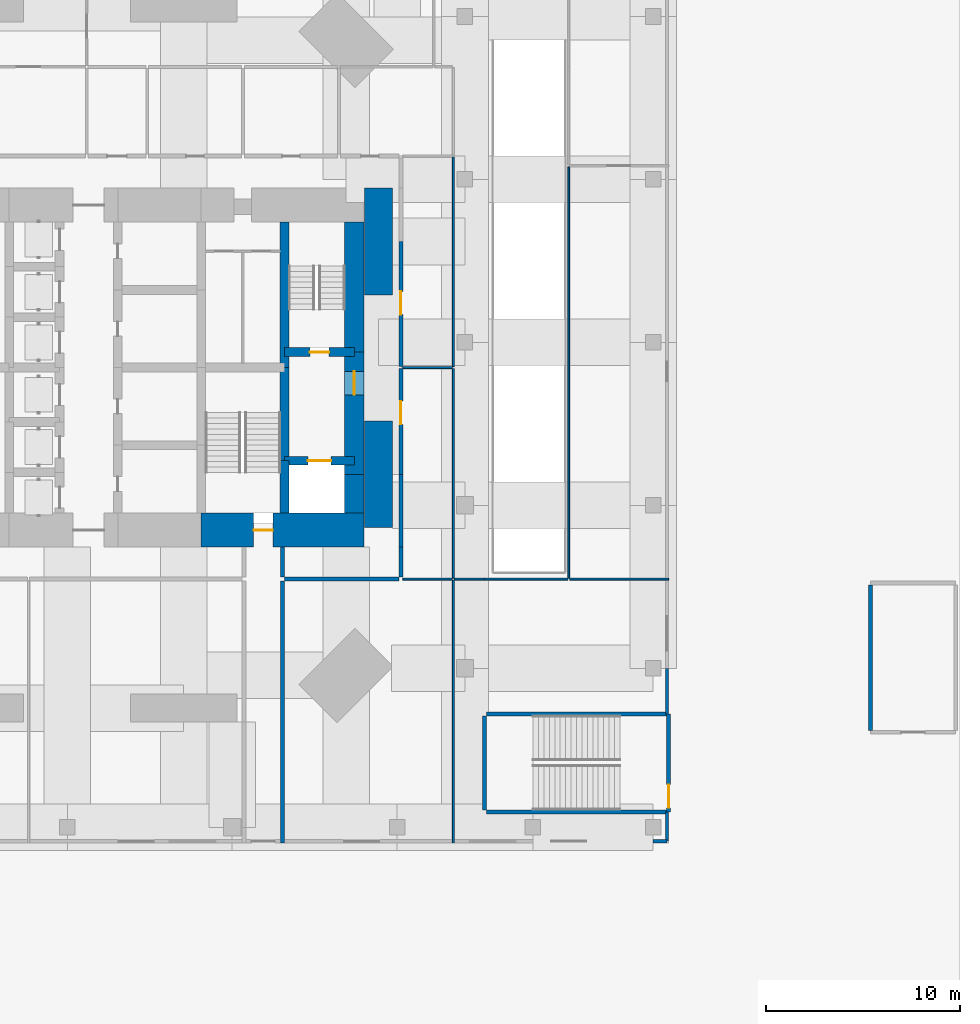
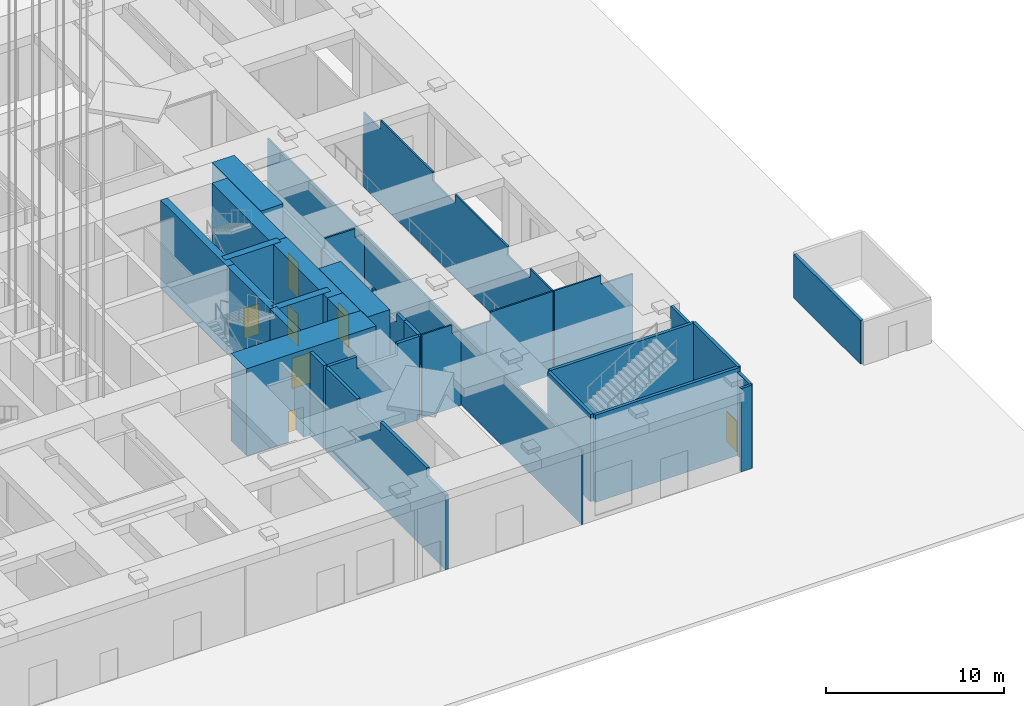
# One storey, part 9 of 17: 35 walls, 7 doors, 7 openings.
"""IFC4 building model written with IfcOpenShell, lengths in metres."""

from ifc_helpers import new_model, si_unit, direction, frame, frame_2d, origin, place, context, subcontext, project, spatial, polyline, rectangle, outline, extrude, material, layer, layer_set, constituent, constituent_set, type_object, element, fill, save


model = new_model("IFC4")

# Units and contexts
model_context = context("Model", 3, precision=1e-05, world=origin(), true_north=direction((0.0, 1.0)))
body_context = subcontext(model_context, "Body", "Model", "MODEL_VIEW")
ifc_project = project(units=[si_unit("LENGTHUNIT", "METRE"), si_unit("AREAUNIT", "SQUARE_METRE"), si_unit("VOLUMEUNIT", "CUBIC_METRE"), si_unit("PLANEANGLEUNIT", "RADIAN"), si_unit("MASSUNIT", "GRAM", prefix="KILO")], contexts=[model_context])

# Site, building, storey
site_placement = place(None, origin())
site = spatial("IfcSite", under=ifc_project, at=site_placement, CompositionType="ELEMENT")
building_placement = place(site_placement, origin())
building = spatial("IfcBuilding", under=site, at=building_placement, Name="Jalousie Tower", CompositionType="ELEMENT")
storey_placement = place(building_placement, origin())
storey = spatial("IfcBuildingStorey", under=building, at=storey_placement, Name="L00", CompositionType="ELEMENT", Elevation=0.0)

# Wall
ifc_material_1 = material(Name="Concrete f'c 120 MPa", Category="concrete")
ifc_layer_1 = layer(ifc_material_1, 1.0)
ifc_layer_set_1 = layer_set([ifc_layer_1], Name="Concrete f'c 120 MPa")
wall_type_1 = type_object("IfcWallType", Name="CORE WALL 1000", PredefinedType="SHEAR", material=ifc_layer_set_1)
wall_1_placement = place(storey_placement, frame((43.800048828125, 11.0, 0.0), z_axis=(0.0, 0.0, 1.0), x_axis=(0.0, 1.0, 0.0)))
element("IfcWall", 1, at=wall_1_placement, inside=storey, type_object=wall_type_1, Name="Core wall EA L00", PredefinedType="SHEAR", context=body_context, shape_type="SweptSolid", body=[
    extrude(rectangle(XDim=2.0, YDim=1.0, at=frame_2d((1.0, 0.0))), origin(), (0.0, 0.0, 1.0), 6.0),
])

# Wall, opening, door
wall_2_placement = place(storey_placement, frame((43.800048828125, 13.0, 0.0), z_axis=(0.0, 0.0, 1.0), x_axis=(0.0, 1.0, 0.0)))
wall_2 = element("IfcWall", 2, at=wall_2_placement, inside=storey, type_object=wall_type_1, Name="Core wall EB L00", PredefinedType="SHEAR", context=body_context, shape_type="SweptSolid", body=[
    extrude(rectangle(XDim=6.300048828125, YDim=1.0, at=frame_2d((3.14990234375, 0.0))), origin(), (0.0, 0.0, 1.0), 6.0),
])
opening_1_placement = place(wall_2_placement, frame((4.10009765625, 0.0, 0.0)))
opening_1 = element("IfcOpeningElement", 3, at=opening_1_placement, cuts=wall_2, Name="Opening D11", PredefinedType="OPENING", context=body_context, shape_type="SweptSolid", body=[
    extrude(rectangle(XDim=1.199951171875, YDim=2.199951171875, at=frame_2d((0.60009765625, 1.10009765625))), frame((0.0, 0.510009765625, 0.0), z_axis=(0.0, -1.0, 0.0), x_axis=(1.0, 0.0, 0.0)), (0.0, 0.0, 1.0), 1.02001953125),
])
ifc_material_2 = material(Name="Steel fire door", Category="steel")
door_type_1 = type_object("IfcDoorType", Name="FIRE DOOR 1200", OperationType="SINGLE_SWING_LEFT", PredefinedType="DOOR", material=ifc_material_2)
door_1_placement = place(opening_1_placement, origin())
door_1 = element("IfcDoor", 4, at=door_1_placement, inside=storey, type_object=door_type_1, Name="Fire-fighting lobby B door", OperationType="SINGLE_SWING_RIGHT", OverallHeight=2.199951171875, OverallWidth=1.199951171875, PredefinedType="DOOR", context=body_context, shape_type="SweptSolid", body=[
    extrude(rectangle(XDim=1.199951171875, YDim=2.199951171875, at=frame_2d((0.60009765625, 1.10009765625))), frame((0.0, 0.02490234375, 0.0), z_axis=(0.0, -1.0, 0.0), x_axis=(1.0, 0.0, 0.0)), (0.0, 0.0, 1.0), 0.050048828125),
])
fill(opening_1, door_1)

# Wall
wall_3_placement = place(storey_placement, frame((43.800048828125, 19.300048828125, 0.0), z_axis=(0.0, 0.0, 1.0), x_axis=(0.0, 1.0, 0.0)))
element("IfcWall", 5, at=wall_3_placement, inside=storey, type_object=wall_type_1, Name="Core wall EC L00", PredefinedType="SHEAR", context=body_context, shape_type="SweptSolid", body=[
    extrude(rectangle(XDim=6.699951171875, YDim=1.0, at=frame_2d((3.35009765625, 0.0))), origin(), (0.0, 0.0, 1.0), 6.0),
])

# Wall, opening, door
ifc_material_3 = material(Name="Concrete f'c 120 MPa", Category="concrete")
ifc_layer_2 = layer(ifc_material_3, 1.75)
ifc_layer_set_2 = layer_set([ifc_layer_2], Name="Concrete f'c 120 MPa")
wall_type_2 = type_object("IfcWallType", Name="CORE WALL 1750", PredefinedType="SHEAR", material=ifc_layer_set_2)
wall_4_placement = place(storey_placement, frame((35.89990234375, 10.125, 0.0), z_axis=(0.0, 0.0, 1.0), x_axis=(1.0, 0.0, 0.0)))
wall_4 = element("IfcWall", 6, at=wall_4_placement, inside=storey, type_object=wall_type_2, Name="Core wall SD L00", PredefinedType="SHEAR", context=body_context, shape_type="SweptSolid", body=[
    extrude(rectangle(XDim=8.400146484375, YDim=1.75, at=frame_2d((4.2001953125, 0.0))), origin(), (0.0, 0.0, 1.0), 6.0),
])
opening_2_placement = place(wall_4_placement, frame((2.699951171875, 0.0, 0.0)))
opening_2 = element("IfcOpeningElement", 7, at=opening_2_placement, cuts=wall_4, Name="Opening D10", PredefinedType="OPENING", context=body_context, shape_type="SweptSolid", body=[
    extrude(rectangle(XDim=1.0, YDim=2.10009765625, at=frame_2d((0.5, 1.050048828125))), frame((0.0, 0.885009765625, 0.0), z_axis=(0.0, -1.0, 0.0), x_axis=(1.0, 0.0, 0.0)), (0.0, 0.0, 1.0), 1.77001953125),
])
ifc_material_4 = material(Name="Steel fire door", Category="steel")
door_type_2 = type_object("IfcDoorType", Name="STAIR DOOR 1000", OperationType="SINGLE_SWING_LEFT", PredefinedType="DOOR", material=ifc_material_4)
door_2_placement = place(opening_2_placement, frame((1.0, 0.0, 0.0), z_axis=(0.0, 0.0, 1.0), x_axis=(-1.0, 0.0, 0.0)))
door_2 = element("IfcDoor", 8, at=door_2_placement, inside=storey, type_object=door_type_2, Name="Exit stair C door", OperationType="SINGLE_SWING_RIGHT", OverallHeight=2.10009765625, OverallWidth=1.0, PredefinedType="DOOR", context=body_context, shape_type="SweptSolid", body=[
    extrude(rectangle(XDim=1.0, YDim=2.10009765625, at=frame_2d((0.5, 1.050048828125))), frame((0.0, 0.02490234375, 0.0), z_axis=(0.0, -1.0, 0.0), x_axis=(1.0, 0.0, 0.0)), (0.0, 0.0, 1.0), 0.050048828125),
])
fill(opening_2, door_2)

# Walls
ifc_material_5 = material(Name="Concrete f'c 120 MPa", Category="concrete")
ifc_layer_3 = layer(ifc_material_5, 0.449951171875)
ifc_layer_set_3 = layer_set([ifc_layer_3], Name="Concrete f'c 120 MPa")
wall_type_3 = type_object("IfcWallType", Name="CORE WALL 450", PredefinedType="SHEAR", material=ifc_layer_set_3)
wall_5_placement = place(storey_placement, frame((40.199951171875, 11.0, 0.0), z_axis=(0.0, 0.0, 1.0), x_axis=(0.0, 1.0, 0.0)))
element("IfcWall", 9, at=wall_5_placement, inside=storey, type_object=wall_type_3, Name="Core wall X40.2A L00", PredefinedType="SHEAR", context=body_context, shape_type="SweptSolid", body=[
    extrude(rectangle(XDim=2.699951171875, YDim=0.449951171875, at=frame_2d((1.35009765625, 0.0))), origin(), (0.0, 0.0, 1.0), 6.0),
])
wall_6_placement = place(storey_placement, frame((40.199951171875, 13.699951171875, 0.0), z_axis=(0.0, 0.0, 1.0), x_axis=(0.0, 1.0, 0.0)))
element("IfcWall", 10, at=wall_6_placement, inside=storey, type_object=wall_type_3, Name="Core wall X40.2B L00", PredefinedType="SHEAR", context=body_context, shape_type="SweptSolid", body=[
    extrude(rectangle(XDim=4.800048828125, YDim=0.449951171875, at=frame_2d((2.39990234375, 0.0))), origin(), (0.0, 0.0, 1.0), 6.0),
])
wall_7_placement = place(storey_placement, frame((40.199951171875, 18.5, 0.0), z_axis=(0.0, 0.0, 1.0), x_axis=(0.0, 1.0, 0.0)))
element("IfcWall", 11, at=wall_7_placement, inside=storey, type_object=wall_type_3, Name="Core wall X40.2C L00", PredefinedType="SHEAR", context=body_context, shape_type="SweptSolid", body=[
    extrude(rectangle(XDim=7.5, YDim=0.449951171875, at=frame_2d((3.75, 0.0))), origin(), (0.0, 0.0, 1.0), 6.0),
])

# Wall, opening, door
wall_8_placement = place(storey_placement, frame((40.199951171875, 13.699951171875, 0.0), z_axis=(0.0, 0.0, 1.0), x_axis=(1.0, 0.0, 0.0)))
wall_8 = element("IfcWall", 12, at=wall_8_placement, inside=storey, type_object=wall_type_3, Name="Core wall Y40.2-13.7 L00", PredefinedType="SHEAR", context=body_context, shape_type="SweptSolid", body=[
    extrude(rectangle(XDim=3.60009765625, YDim=0.449951171875, at=frame_2d((1.800048828125, 0.0))), origin(), (0.0, 0.0, 1.0), 6.0),
])
opening_3_placement = place(wall_8_placement, frame((1.199951171875, 0.0, 0.0)))
opening_3 = element("IfcOpeningElement", 13, at=opening_3_placement, cuts=wall_8, Name="Opening LD2", PredefinedType="OPENING", context=body_context, shape_type="SweptSolid", body=[
    extrude(rectangle(XDim=1.199951171875, YDim=2.10009765625, at=frame_2d((0.60009765625, 1.050048828125))), frame((0.0, 0.23486328125, 0.0), z_axis=(0.0, -1.0, 0.0), x_axis=(1.0, 0.0, 0.0)), (0.0, 0.0, 1.0), 0.469970703125),
])
ifc_material_6 = material(Name="Steel lift landing door", Category="steel")
door_type_3 = type_object("IfcDoorType", Name="LIFT LANDING DOOR 1200", OperationType="SLIDING_TO_LEFT", PredefinedType="DOOR", material=ifc_material_6)
door_3_placement = place(opening_3_placement, origin())
door_3 = element("IfcDoor", 14, at=door_3_placement, inside=storey, type_object=door_type_3, Name="Lift F2 landing door", OperationType="SLIDING_TO_LEFT", OverallHeight=2.10009765625, OverallWidth=1.199951171875, PredefinedType="DOOR", context=body_context, shape_type="SweptSolid", body=[
    extrude(rectangle(XDim=1.199951171875, YDim=2.10009765625, at=frame_2d((0.60009765625, 1.050048828125))), frame((0.0, 0.02490234375, 0.0), z_axis=(0.0, -1.0, 0.0), x_axis=(1.0, 0.0, 0.0)), (0.0, 0.0, 1.0), 0.050048828125),
])
fill(opening_3, door_3)

wall_9_placement = place(storey_placement, frame((40.199951171875, 19.300048828125, 0.0), z_axis=(0.0, 0.0, 1.0), x_axis=(1.0, 0.0, 0.0)))
wall_9 = element("IfcWall", 15, at=wall_9_placement, inside=storey, type_object=wall_type_3, Name="Core wall Y40.2-19.3 L00", PredefinedType="SHEAR", context=body_context, shape_type="SweptSolid", body=[
    extrude(rectangle(XDim=3.60009765625, YDim=0.449951171875, at=frame_2d((1.800048828125, 0.0))), origin(), (0.0, 0.0, 1.0), 6.0),
])
opening_4_placement = place(wall_9_placement, frame((1.300048828125, 0.0, 0.0)))
opening_4 = element("IfcOpeningElement", 16, at=opening_4_placement, cuts=wall_9, Name="Opening D10", PredefinedType="OPENING", context=body_context, shape_type="SweptSolid", body=[
    extrude(rectangle(XDim=1.0, YDim=2.10009765625, at=frame_2d((0.5, 1.050048828125))), frame((0.0, 0.23486328125, 0.0), z_axis=(0.0, -1.0, 0.0), x_axis=(1.0, 0.0, 0.0)), (0.0, 0.0, 1.0), 0.469970703125),
])
door_4_placement = place(opening_4_placement, frame((1.0, 0.0, 0.0), z_axis=(0.0, 0.0, 1.0), x_axis=(-1.0, 0.0, 0.0)))
door_4 = element("IfcDoor", 17, at=door_4_placement, inside=storey, type_object=door_type_2, Name="Exit stair B door", OperationType="SINGLE_SWING_LEFT", OverallHeight=2.10009765625, OverallWidth=1.0, PredefinedType="DOOR", context=body_context, shape_type="SweptSolid", body=[
    extrude(rectangle(XDim=1.0, YDim=2.10009765625, at=frame_2d((0.5, 1.050048828125))), frame((0.0, 0.02490234375, 0.0), z_axis=(0.0, -1.0, 0.0), x_axis=(1.0, 0.0, 0.0)), (0.0, 0.0, 1.0), 0.050048828125),
])
fill(opening_4, door_4)

# Walls
ifc_material_7 = material(Name="Concrete block ASTM C90", Category="concrete")
ifc_constituent_1 = constituent(ifc_material_7, Name="Body")
ifc_material_8 = material(Name="Render")
ifc_constituent_2 = constituent(ifc_material_8, Name="Finish")
ifc_constituent_set_1 = constituent_set(constituents=[ifc_constituent_1, ifc_constituent_2])
wall_type_4 = type_object("IfcWallType", Name="CORRIDOR WALL 200", PredefinedType="PARTITIONING", material=ifc_constituent_set_1)
wall_10_placement = place(storey_placement, frame((46.199951171875, 7.699951171875, 0.0), z_axis=(0.0, 0.0, 1.0), x_axis=(0.0, 1.0, 0.0)))
element("IfcWall", 18, at=wall_10_placement, inside=storey, type_object=wall_type_4, Name="Corridor Wall 200 L00", PredefinedType="PARTITIONING", context=body_context, shape_type="SweptSolid", body=[
    extrude(rectangle(XDim=1.550048828125, YDim=0.199951171875, at=frame_2d((0.77490234375, 0.0))), origin(), (0.0, 0.0, 1.0), 5.719970703125),
])
wall_11_placement = place(storey_placement, frame((40.199951171875, 7.60009765625, 0.0), z_axis=(0.0, 0.0, 1.0), x_axis=(1.0, 0.0, 0.0)))
element("IfcWall", 19, at=wall_11_placement, inside=storey, type_object=wall_type_4, Name="Corridor Wall 200 L00", PredefinedType="PARTITIONING", context=body_context, shape_type="SweptSolid", body=[
    extrude(outline(polyline([(0.0, 0.0), (5.900146484375, 0.0), (5.89990234375, 5.719970703125), (4.478515625, 5.719970703125), (4.478515625, 4.919921875), (1.858642578125, 4.919921875), (1.858642578125, 5.719970703125), (0.0, 5.719970703125), (0.0, 0.0)])), frame((0.0, 0.10009765625, 0.0), z_axis=(0.0, -1.0, 0.0), x_axis=(1.0, 0.0, 0.0)), (0.0, 0.0, 1.0), 0.199951171875),
])
wall_12_placement = place(storey_placement, frame((46.199951171875, 9.25, 0.0), z_axis=(0.0, 0.0, 1.0), x_axis=(0.0, 1.0, 0.0)))
element("IfcWall", 20, at=wall_12_placement, inside=storey, type_object=wall_type_4, Name="Corridor Wall 200 L00-A", PredefinedType="PARTITIONING", context=body_context, shape_type="SweptSolid", body=[
    extrude(outline(polyline([(0.0, 0.0), (3.75, 0.0), (3.75, 5.070068359375), (3.639892578125, 5.070068359375), (3.639892578125, 5.719970703125), (3.4599609375, 5.719970703125), (3.4599609375, 5.1201171875), (0.840087890625, 5.1201171875), (0.840087890625, 5.719970703125), (0.0, 5.719970703125), (0.0, 0.0)])), frame((0.0, 0.10009765625, 0.0), z_axis=(0.0, -1.0, 0.0), x_axis=(1.0, 0.0, 0.0)), (0.0, 0.0, 1.0), 0.199951171875),
])

# Wall, opening, door
wall_13_placement = place(storey_placement, frame((46.199951171875, 13.0, 0.0), z_axis=(0.0, 0.0, 1.0), x_axis=(0.0, 1.0, 0.0)))
wall_13 = element("IfcWall", 21, at=wall_13_placement, inside=storey, type_object=wall_type_4, Name="Corridor Wall 200 L00-B", PredefinedType="PARTITIONING", context=body_context, shape_type="SweptSolid", body=[
    extrude(rectangle(XDim=5.449951171875, YDim=0.199951171875, at=frame_2d((2.72509765625, 0.0))), origin(), (0.0, 0.0, 1.0), 5.070068359375),
])
opening_5_placement = place(wall_13_placement, frame((2.574951171875, 0.0, 0.0)))
opening_5 = element("IfcOpeningElement", 22, at=opening_5_placement, cuts=wall_13, Name="Opening D8", PredefinedType="OPENING", context=body_context, shape_type="SweptSolid", body=[
    extrude(rectangle(XDim=1.199951171875, YDim=2.39990234375, at=frame_2d((0.60009765625, 1.199951171875))), frame((0.0, 0.10986328125, 0.0), z_axis=(0.0, -1.0, 0.0), x_axis=(1.0, 0.0, 0.0)), (0.0, 0.0, 1.0), 0.219970703125),
])
ifc_material_9 = material(Name="Steel fire door", Category="steel")
door_type_4 = type_object("IfcDoorType", Name="SERVICE DOOR 1200", OperationType="SINGLE_SWING_LEFT", PredefinedType="DOOR", material=ifc_material_9)
door_5_placement = place(opening_5_placement, frame((1.199951171875, 0.0, 0.0), z_axis=(0.0, 0.0, 1.0), x_axis=(-1.0, 0.0, 0.0)))
door_5 = element("IfcDoor", 23, at=door_5_placement, inside=storey, type_object=door_type_4, Name="Switch room door", OperationType="SINGLE_SWING_LEFT", OverallHeight=2.39990234375, OverallWidth=1.199951171875, PredefinedType="DOOR", context=body_context, shape_type="SweptSolid", body=[
    extrude(rectangle(XDim=1.199951171875, YDim=2.39990234375, at=frame_2d((0.60009765625, 1.199951171875))), frame((0.0, 0.02490234375, 0.0), z_axis=(0.0, -1.0, 0.0), x_axis=(1.0, 0.0, 0.0)), (0.0, 0.0, 1.0), 0.050048828125),
])
fill(opening_5, door_5)

wall_14_placement = place(storey_placement, frame((46.199951171875, 18.550048828125, 0.0), z_axis=(0.0, 0.0, 1.0), x_axis=(0.0, 1.0, 0.0)))
wall_14 = element("IfcWall", 24, at=wall_14_placement, inside=storey, type_object=wall_type_4, Name="Corridor Wall 200 L00-A", PredefinedType="PARTITIONING", context=body_context, shape_type="SweptSolid", body=[
    extrude(rectangle(XDim=6.449951171875, YDim=0.199951171875, at=frame_2d((3.22509765625, 0.0))), origin(), (0.0, 0.0, 1.0), 5.070068359375),
])
opening_6_placement = place(wall_14_placement, frame((2.675048828125, 0.0, 0.0)))
opening_6 = element("IfcOpeningElement", 25, at=opening_6_placement, cuts=wall_14, Name="Opening D8", PredefinedType="OPENING", context=body_context, shape_type="SweptSolid", body=[
    extrude(rectangle(XDim=1.199951171875, YDim=2.39990234375, at=frame_2d((0.60009765625, 1.199951171875))), frame((0.0, 0.10986328125, 0.0), z_axis=(0.0, -1.0, 0.0), x_axis=(1.0, 0.0, 0.0)), (0.0, 0.0, 1.0), 0.219970703125),
])
door_6_placement = place(opening_6_placement, frame((1.199951171875, 0.0, 0.0), z_axis=(0.0, 0.0, 1.0), x_axis=(-1.0, 0.0, 0.0)))
door_6 = element("IfcDoor", 26, at=door_6_placement, inside=storey, type_object=door_type_4, Name="Generator room door", OperationType="SINGLE_SWING_RIGHT", OverallHeight=2.39990234375, OverallWidth=1.199951171875, PredefinedType="DOOR", context=body_context, shape_type="SweptSolid", body=[
    extrude(rectangle(XDim=1.199951171875, YDim=2.39990234375, at=frame_2d((0.60009765625, 1.199951171875))), frame((0.0, 0.02490234375, 0.0), z_axis=(0.0, -1.0, 0.0), x_axis=(1.0, 0.0, 0.0)), (0.0, 0.0, 1.0), 0.050048828125),
])
fill(opening_6, door_6)

# Walls
ifc_material_10 = material(Name="Concrete f'c 40 MPa", Category="concrete")
ifc_constituent_3 = constituent(ifc_material_10, Name="Body")
ifc_material_11 = material(Name="Render, pastel coral")
ifc_constituent_4 = constituent(ifc_material_11, Name="Finish")
ifc_constituent_set_2 = constituent_set(constituents=[ifc_constituent_3, ifc_constituent_4])
wall_type_5 = type_object("IfcWallType", Name="EXTERNAL WALL 175 CORAL RENDER", PredefinedType="SOLIDWALL", material=ifc_constituent_set_2)
wall_15_placement = place(storey_placement, frame((59.199951171875, -5.91259765625, 0.0), z_axis=(0.0, 0.0, 1.0), x_axis=(1.0, 0.0, 0.0)))
element("IfcWall", 27, at=wall_15_placement, inside=storey, type_object=wall_type_5, Name="External Wall 175 Coral Render L00-C", PredefinedType="SOLIDWALL", context=body_context, shape_type="SweptSolid", body=[
    extrude(rectangle(XDim=0.712646484375, YDim=0.175048828125, at=frame_2d((0.3564453125, 0.0))), origin(), (0.0, 0.0, 1.0), 5.719970703125),
])
wall_16_placement = place(storey_placement, frame((59.91259765625, -5.91259765625, 0.0), z_axis=(0.0, 0.0, 1.0), x_axis=(0.0, 1.0, 0.0)))
element("IfcWall", 28, at=wall_16_placement, inside=storey, type_object=wall_type_5, Name="External Wall 175 Coral Render L00", PredefinedType="SOLIDWALL", context=body_context, shape_type="SweptSolid", body=[
    extrude(rectangle(XDim=1.5126953125, YDim=0.175048828125, at=frame_2d((0.75634765625, 0.0))), origin(), (0.0, 0.0, 1.0), 5.719970703125),
])
wall_17_placement = place(storey_placement, frame((59.91259765625, 0.64990234375, 0.0), z_axis=(0.0, 0.0, 1.0), x_axis=(0.0, 1.0, 0.0)))
element("IfcWall", 29, at=wall_17_placement, inside=storey, type_object=wall_type_5, Name="External Wall 175 Coral Render L00-A", PredefinedType="SOLIDWALL", context=body_context, shape_type="SweptSolid", body=[
    extrude(rectangle(XDim=2.35009765625, YDim=0.175048828125, at=frame_2d((1.175048828125, 0.0))), origin(), (0.0, 0.0, 1.0), 5.719970703125),
])
ifc_material_12 = material(Name="Gypsum board", Category="gypsum")
ifc_constituent_5 = constituent(ifc_material_12, Name="Body")
ifc_material_13 = material(Name="Light-gauge steel studs ASTM A653 SS Grade 33", Category="steel")
ifc_constituent_6 = constituent(ifc_material_13, Name="Framing")
ifc_constituent_set_3 = constituent_set(constituents=[ifc_constituent_5, ifc_constituent_6])
wall_type_6 = type_object("IfcWallType", Name="PARTITION 100", PredefinedType="PARTITIONING", material=ifc_constituent_set_3)
wall_18_placement = place(storey_placement, frame((48.949951171875, 7.60009765625, 0.0), z_axis=(0.0, 0.0, 1.0), x_axis=(1.0, 0.0, 0.0)))
element("IfcWall", 30, at=wall_18_placement, inside=storey, type_object=wall_type_6, Name="Partition 100 L00", PredefinedType="PARTITIONING", context=body_context, shape_type="SweptSolid", body=[
    extrude(outline(polyline([(0.0, 0.0), (1.550048828125, 0.0), (1.550048828125, 5.719970703125), (1.550048828125, 5.1201171875), (0.0, 5.1201171875), (0.0, 5.719970703125), (0.0, 0.0)])), frame((0.0, 0.050048828125, 0.0), z_axis=(0.0, -1.0, 0.0), x_axis=(1.0, 0.0, 0.0)), (0.0, 0.0, 1.0), 0.10009765625),
])
wall_19_placement = place(storey_placement, frame((48.89990234375, -6.0, 0.0), z_axis=(0.0, 0.0, 1.0), x_axis=(0.0, 1.0, 0.0)))
element("IfcWall", 31, at=wall_19_placement, inside=storey, type_object=wall_type_6, Name="Partition 100 L00", PredefinedType="PARTITIONING", context=body_context, shape_type="SweptSolid", body=[
    extrude(outline(polyline([(0.0, 0.0), (13.550048828125, 0.0), (13.550048828125, 5.719970703125), (13.550048828125, 5.1201171875), (10.260009765625, 5.1201171875), (9.06005859375, 5.1201171875), (2.06005859375, 5.1201171875), (0.0, 5.1201171875), (0.0, 5.719970703125), (0.0, 0.0)])), frame((0.0, 0.050048828125, 0.0), z_axis=(0.0, -1.0, 0.0), x_axis=(1.0, 0.0, 0.0)), (0.0, 0.0, 1.0), 0.10009765625),
])
wall_20_placement = place(storey_placement, frame((54.89990234375, 7.60009765625, 0.0), z_axis=(0.0, 0.0, 1.0), x_axis=(1.0, 0.0, 0.0)))
element("IfcWall", 32, at=wall_20_placement, inside=storey, type_object=wall_type_6, Name="Partition 100 L00", PredefinedType="PARTITIONING", context=body_context, shape_type="SweptSolid", body=[
    extrude(outline(polyline([(0.0, 0.0), (5.10009765625, 0.0), (5.10009765625, 5.719970703125), (5.10009765625, 5.1201171875), (3.0400390625, 5.1201171875), (3.0400390625, 5.719970703125), (0.0, 5.719970703125), (0.0, 0.0)])), frame((0.0, 0.050048828125, 0.0), z_axis=(0.0, -1.0, 0.0), x_axis=(1.0, 0.0, 0.0)), (0.0, 0.0, 1.0), 0.10009765625),
])
wall_21_placement = place(storey_placement, frame((50.5, 7.60009765625, 0.0), z_axis=(0.0, 0.0, 1.0), x_axis=(1.0, 0.0, 0.0)))
element("IfcWall", 33, at=wall_21_placement, inside=storey, type_object=wall_type_6, Name="Partition 100 L00", PredefinedType="PARTITIONING", context=body_context, shape_type="SweptSolid", body=[
    extrude(outline(polyline([(0.0, 0.0), (4.300048828125, 0.0), (4.300048828125, 5.719970703125), (0.260009765625, 5.719970703125), (0.260009765625, 5.1201171875), (0.0, 5.1201171875), (0.0, 5.719970703125), (0.0, 0.0)])), frame((0.0, 0.050048828125, 0.0), z_axis=(0.0, -1.0, 0.0), x_axis=(1.0, 0.0, 0.0)), (0.0, 0.0, 1.0), 0.10009765625),
])
wall_22_placement = place(storey_placement, frame((46.300048828125, 18.5, 0.0), z_axis=(0.0, 0.0, 1.0), x_axis=(1.0, 0.0, 0.0)))
element("IfcWall", 34, at=wall_22_placement, inside=storey, type_object=wall_type_6, Name="Partition 100 L00", PredefinedType="PARTITIONING", context=body_context, shape_type="SweptSolid", body=[
    extrude(outline(polyline([(0.0, 0.0), (2.550048828125, 0.0), (2.550048828125, 5.719970703125), (2.550048828125, 5.1201171875), (1.93994140625, 5.1201171875), (1.93994140625, 5.719970703125), (0.010009765625, 5.719970703125), (0.010009765625, 5.070068359375), (0.0, 5.070068359375), (0.0, 5.719970703125), (0.0, 0.0)])), frame((0.0, 0.050048828125, 0.0), z_axis=(0.0, -1.0, 0.0), x_axis=(1.0, 0.0, 0.0)), (0.0, 0.0, 1.0), 0.10009765625),
])
wall_23_placement = place(storey_placement, frame((48.89990234375, 7.64990234375, 0.0), z_axis=(0.0, 0.0, 1.0), x_axis=(0.0, 1.0, 0.0)))
element("IfcWall", 35, at=wall_23_placement, inside=storey, type_object=wall_type_6, Name="Partition 100 L00", PredefinedType="PARTITIONING", context=body_context, shape_type="SweptSolid", body=[
    extrude(outline(polyline([(0.0, 0.0), (10.800048828125, 0.0), (10.800048828125, 5.719970703125), (10.800048828125, 5.1201171875), (5.010009765625, 5.1201171875), (3.81005859375, 5.1201171875), (0.0, 5.1201171875), (0.0, 5.719970703125), (0.0, 0.0)])), frame((0.0, 0.050048828125, 0.0), z_axis=(0.0, -1.0, 0.0), x_axis=(1.0, 0.0, 0.0)), (0.0, 0.0, 1.0), 0.10009765625),
])
wall_24_placement = place(storey_placement, frame((46.300048828125, 7.60009765625, 0.0), z_axis=(0.0, 0.0, 1.0), x_axis=(1.0, 0.0, 0.0)))
element("IfcWall", 36, at=wall_24_placement, inside=storey, type_object=wall_type_6, Name="Partition 100 L00", PredefinedType="PARTITIONING", context=body_context, shape_type="SweptSolid", body=[
    extrude(outline(polyline([(0.0, 0.0), (2.550048828125, 0.0), (2.550048828125, 5.719970703125), (2.550048828125, 5.1201171875), (1.93994140625, 5.1201171875), (1.93994140625, 5.719970703125), (0.0, 5.719970703125), (0.0, 0.0)])), frame((0.0, 0.050048828125, 0.0), z_axis=(0.0, -1.0, 0.0), x_axis=(1.0, 0.0, 0.0)), (0.0, 0.0, 1.0), 0.10009765625),
])
wall_25_placement = place(storey_placement, frame((48.89990234375, 18.550048828125, 0.0), z_axis=(0.0, 0.0, 1.0), x_axis=(0.0, 1.0, 0.0)))
element("IfcWall", 37, at=wall_25_placement, inside=storey, type_object=wall_type_6, Name="Partition 100 L00", PredefinedType="PARTITIONING", context=body_context, shape_type="SweptSolid", body=[
    extrude(outline(polyline([(0.0, 0.0), (10.800048828125, 0.0), (10.800048828125, 5.719970703125), (10.800048828125, 5.1201171875), (9.7099609375, 5.1201171875), (2.510009765625, 5.1201171875), (1.31005859375, 5.1201171875), (0.0, 5.1201171875), (0.0, 5.719970703125), (0.0, 0.0)])), frame((0.0, 0.050048828125, 0.0), z_axis=(0.0, -1.0, 0.0), x_axis=(1.0, 0.0, 0.0)), (0.0, 0.0, 1.0), 0.10009765625),
])
wall_26_placement = place(storey_placement, frame((54.85009765625, 7.64990234375, 0.0), z_axis=(0.0, 0.0, 1.0), x_axis=(0.0, 1.0, 0.0)))
element("IfcWall", 38, at=wall_26_placement, inside=storey, type_object=wall_type_6, Name="Partition 100 L00", PredefinedType="PARTITIONING", context=body_context, shape_type="SweptSolid", body=[
    extrude(outline(polyline([(0.0, 0.0), (21.2001953125, 0.0), (21.199951171875, 5.719970703125), (21.199951171875, 5.1201171875), (19.2900390625, 5.1201171875), (19.2900390625, 5.719970703125), (13.409912109375, 5.719970703125), (13.409912109375, 5.1201171875), (10.889892578125, 5.1201171875), (10.889892578125, 5.719970703125), (5.010009765625, 5.719970703125), (5.010009765625, 5.1201171875), (2.489990234375, 5.1201171875), (2.489990234375, 5.719970703125), (0.0, 5.719970703125), (0.0, 0.0)])), frame((0.0, 0.050048828125, 0.0), z_axis=(0.0, -1.0, 0.0), x_axis=(1.0, 0.0, 0.0)), (0.0, 0.0, 1.0), 0.10009765625),
])
ifc_material_14 = material(Name="Concrete f'c 120 MPa", Category="concrete")
ifc_layer_4 = layer(ifc_material_14, 1.449951171875)
ifc_layer_set_4 = layer_set([ifc_layer_4], Name="Concrete f'c 120 MPa")
wall_type_7 = type_object("IfcWallType", Name="RC WALL PIER 1450", PredefinedType="SHEAR", material=ifc_layer_set_4)
for number, where, z_axis, x_axis, name in (
    (39, (45.050048828125, 10.25, 0.0), (0.0, 0.0, 1.0), (0.0, 1.0, 0.0), "Wall pier 06 L00"),
    (40, (45.050048828125, 22.25, 0.0), (0.0, 0.0, 1.0), (0.0, 1.0, 0.0), "Wall pier 07 L00"),
):
    element("IfcWall", number, at=place(storey_placement, frame(where, z_axis=z_axis, x_axis=x_axis)), inside=storey, type_object=wall_type_7, Name=name, PredefinedType="SHEAR", context=body_context, shape_type="SweptSolid", body=[
        extrude(rectangle(XDim=5.5, YDim=1.449951171875, at=frame_2d((2.75, 0.0))), origin(), (0.0, 0.0, 1.0), 6.0),
    ])

# Wall, opening, door
ifc_material_15 = material(Name="Concrete block ASTM C90", Category="concrete")
ifc_constituent_7 = constituent(ifc_material_15, Name="Body")
ifc_material_16 = material(Name="Render")
ifc_constituent_8 = constituent(ifc_material_16, Name="Finish")
ifc_constituent_set_4 = constituent_set(constituents=[ifc_constituent_7, ifc_constituent_8])
wall_type_8 = type_object("IfcWallType", Name="STAIR WALL 200", PredefinedType="SOLIDWALL", material=ifc_constituent_set_4)
wall_27_placement = place(storey_placement, frame((60.0, -4.39990234375, 0.0), z_axis=(0.0, 0.0, 1.0), x_axis=(0.0, 1.0, 0.0)))
wall_27 = element("IfcWall", 41, at=wall_27_placement, inside=storey, type_object=wall_type_8, Name="Stair Wall 200 L00", PredefinedType="SOLIDWALL", context=body_context, shape_type="SweptSolid", body=[
    extrude(rectangle(XDim=5.0498046875, YDim=0.199951171875, at=frame_2d((2.52490234375, 0.0))), origin(), (0.0, 0.0, 1.0), 6.0),
])
opening_7_placement = place(wall_27_placement, frame((0.199951171875, 0.0, 0.0)))
opening_7 = element("IfcOpeningElement", 42, at=opening_7_placement, cuts=wall_27, Name="Opening D-EXS", PredefinedType="OPENING", context=body_context, shape_type="SweptSolid", body=[
    extrude(rectangle(XDim=1.199951171875, YDim=2.10009765625, at=frame_2d((0.60009765625, 1.050048828125))), frame((0.0, 0.10986328125, 0.0), z_axis=(0.0, -1.0, 0.0), x_axis=(1.0, 0.0, 0.0)), (0.0, 0.0, 1.0), 0.219970703125),
])
ifc_material_17 = material(Name="Steel door, 90 minute", Category="steel")
door_type_5 = type_object("IfcDoorType", Name="STAIR STREET DOOR 1200x2100", OperationType="SINGLE_SWING_LEFT", PredefinedType="DOOR", material=ifc_material_17)
door_7_placement = place(opening_7_placement, frame((1.199951171875, 0.0, 0.0), z_axis=(0.0, 0.0, 1.0), x_axis=(-1.0, 0.0, 0.0)))
door_7 = element("IfcDoor", 43, at=door_7_placement, inside=storey, type_object=door_type_5, Name="Exit stair PS2 street door", OperationType="SINGLE_SWING_RIGHT", OverallHeight=2.10009765625, OverallWidth=1.199951171875, PredefinedType="DOOR", context=body_context, shape_type="SweptSolid", body=[
    extrude(rectangle(XDim=1.199951171875, YDim=2.10009765625, at=frame_2d((0.60009765625, 1.050048828125))), frame((0.0, 0.02490234375, 0.0), z_axis=(0.0, -1.0, 0.0), x_axis=(1.0, 0.0, 0.0)), (0.0, 0.0, 1.0), 0.050048828125),
])
fill(opening_7, door_7)

# Walls
wall_28_placement = place(storey_placement, frame((50.5, -4.300048828125, 0.0), z_axis=(0.0, 0.0, 1.0), x_axis=(0.0, 1.0, 0.0)))
element("IfcWall", 44, at=wall_28_placement, inside=storey, type_object=wall_type_8, Name="Stair Wall 200 L00", PredefinedType="SOLIDWALL", context=body_context, shape_type="SweptSolid", body=[
    extrude(rectangle(XDim=4.85009765625, YDim=0.199951171875, at=frame_2d((2.425048828125, 0.0))), origin(), (0.0, 0.0, 1.0), 6.0),
])
for number, where, z_axis, x_axis, name in (
    (45, (50.60009765625, -4.39990234375, 0.0), (0.0, 0.0, 1.0), (1.0, 0.0, 0.0), "Stair Wall 200 L00"),
    (46, (50.60009765625, 0.64990234375, 0.0), (0.0, 0.0, 1.0), (1.0, 0.0, 0.0), "Stair Wall 200 L00"),
):
    element("IfcWall", number, at=place(storey_placement, frame(where, z_axis=z_axis, x_axis=x_axis)), inside=storey, type_object=wall_type_8, Name=name, PredefinedType="SOLIDWALL", context=body_context, shape_type="SweptSolid", body=[
        extrude(rectangle(XDim=9.39990234375, YDim=0.199951171875, at=frame_2d((4.699951171875, 0.0))), origin(), (0.0, 0.0, 1.0), 6.0),
    ])
wall_29_placement = place(storey_placement, frame((40.10009765625, 7.699951171875, 0.0), z_axis=(0.0, 0.0, 1.0), x_axis=(0.0, 1.0, 0.0)))
element("IfcWall", 47, at=wall_29_placement, inside=storey, type_object=wall_type_8, Name="Stair Wall 200 L00", PredefinedType="SOLIDWALL", context=body_context, shape_type="SweptSolid", body=[
    extrude(rectangle(XDim=1.550048828125, YDim=0.199951171875, at=frame_2d((0.77490234375, 0.0))), origin(), (0.0, 0.0, 1.0), 5.719970703125),
])
wall_30_placement = place(storey_placement, frame((40.10009765625, -6.0, 0.0), z_axis=(0.0, 0.0, 1.0), x_axis=(0.0, 1.0, 0.0)))
element("IfcWall", 48, at=wall_30_placement, inside=storey, type_object=wall_type_8, Name="Stair Wall 200 L00", PredefinedType="SOLIDWALL", context=body_context, shape_type="SweptSolid", body=[
    extrude(outline(polyline([(0.0, 0.0), (13.5, 0.0), (13.5, 5.719970703125), (9.94140625, 5.719970703125), (9.94140625, 5.1201171875), (7.3212890625, 5.1201171875), (7.3212890625, 5.719970703125), (2.110107421875, 5.719970703125), (2.110107421875, 5.1201171875), (0.0, 5.1201171875), (0.0, 5.719970703125), (0.0, 0.0)])), frame((0.0, 0.10009765625, 0.0), z_axis=(0.0, -1.0, 0.0), x_axis=(1.0, 0.0, 0.0)), (0.0, 0.0, 1.0), 0.199951171875),
])
wall_31_placement = place(storey_placement, frame((70.39990234375, 7.300048828125, 0.0), z_axis=(0.0, 0.0, 1.0), x_axis=(0.0, -1.0, 0.0)))
element("IfcWall", 49, at=wall_31_placement, inside=storey, type_object=wall_type_8, Name="Stair BS2 head house wall W", PredefinedType="SOLIDWALL", context=body_context, shape_type="SweptSolid", body=[
    extrude(rectangle(XDim=7.5, YDim=0.199951171875, at=frame_2d((3.75, 0.0))), origin(), (0.0, 0.0, 1.0), 3.0),
])

save(model, "model.ifc")
